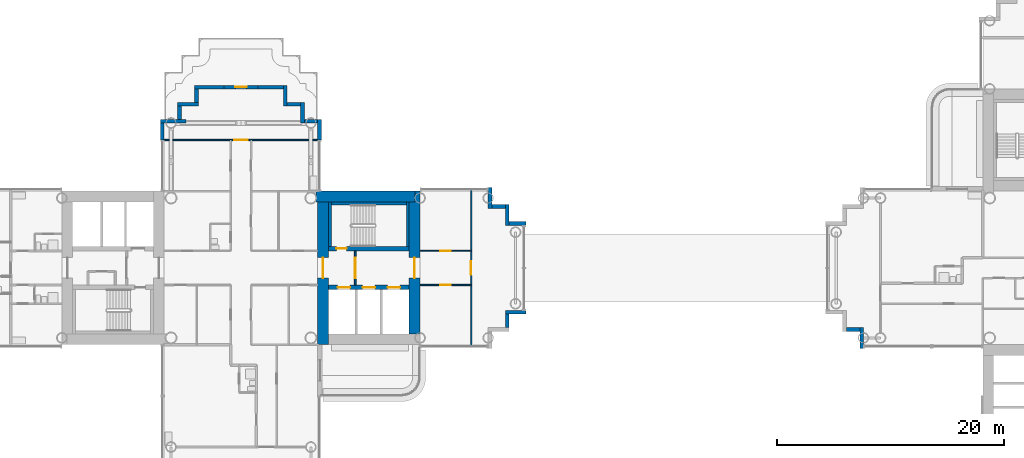
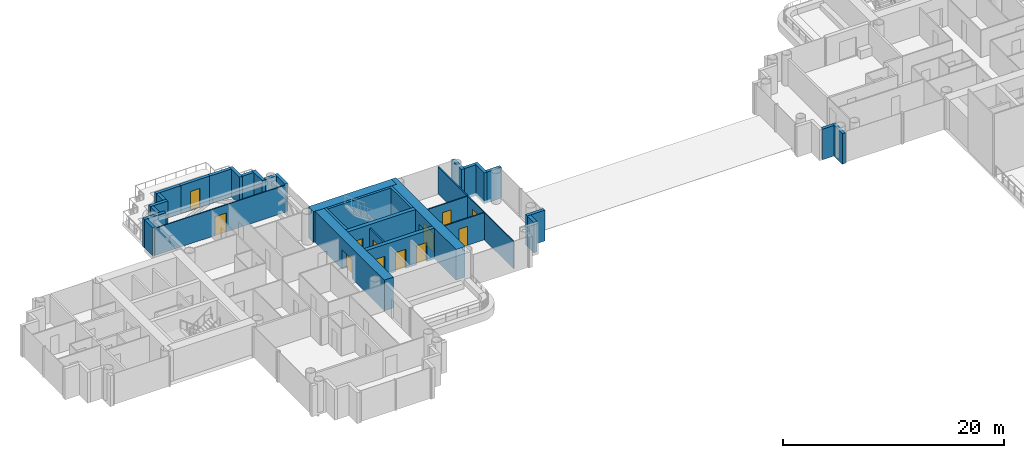
# One storey, part 12 of 22: 34 walls, 12 doors, 12 openings.
"""IFC4 building model written with IfcOpenShell, lengths in metres."""

from ifc_helpers import new_model, si_unit, direction, frame, frame_2d, origin, place, context, subcontext, project, spatial, rectangle, extrude, material, layer, layer_set, type_object, element, fill, save


model = new_model("IFC4")

# Units and contexts
model_context = context("Model", 3, precision=1e-05, world=origin(), true_north=direction((0.0, 1.0)))
body_context = subcontext(model_context, "Body", "Model", "MODEL_VIEW")
ifc_project = project(units=[si_unit("LENGTHUNIT", "METRE"), si_unit("AREAUNIT", "SQUARE_METRE"), si_unit("VOLUMEUNIT", "CUBIC_METRE"), si_unit("PLANEANGLEUNIT", "RADIAN"), si_unit("MASSUNIT", "GRAM", prefix="KILO")], contexts=[model_context])

# Site, building, storey
site_placement = place(None, origin())
site = spatial("IfcSite", under=ifc_project, at=site_placement, CompositionType="ELEMENT")
building_placement = place(site_placement, origin())
building = spatial("IfcBuilding", under=site, at=building_placement, Name="Ipe Terrace Towers", CompositionType="ELEMENT")
storey_placement = place(building_placement, frame((0.0, 0.0, 76.60009765625)))
storey = spatial("IfcBuildingStorey", under=building, at=storey_placement, Name="L20", CompositionType="ELEMENT", Elevation=76.60009765625)

# Walls
ifc_material_1 = material(Name="Concrete C40/50 with buff precast cladding", Category="concrete")
ifc_layer_1 = layer(ifc_material_1, 0.320068359375)
ifc_layer_set_1 = layer_set([ifc_layer_1], Name="BUFF CLADDING WALL 320")
wall_type_1 = type_object("IfcWallType", Name="BUFF CLADDING WALL 320", PredefinedType="STANDARD", material=ifc_layer_set_1)
wall_1_placement = place(storey_placement, frame((-12.590087890625, -5.25, -0.300048828125), z_axis=(0.0, 0.0, 1.0), x_axis=(0.0, 1.0, 0.0)))
element("IfcWall", 1, at=wall_1_placement, inside=storey, type_object=wall_type_1, Name="T1-W-L20-23a wall", PredefinedType="STANDARD", context=body_context, shape_type="SweptSolid", body=[
    extrude(rectangle(XDim=1.179931640625, YDim=0.320068359375, at=frame_2d((0.58984375, 0.0))), origin(), (0.0, 0.0, 1.0), 3.39990234375),
])
wall_2_placement = place(storey_placement, frame((-12.75, -3.909912109375, -0.300048828125), z_axis=(0.0, 0.0, 1.0), x_axis=(1.0, 0.0, 0.0)))
element("IfcWall", 2, at=wall_2_placement, inside=storey, type_object=wall_type_1, Name="T1-W-L20-24a wall", PredefinedType="STANDARD", context=body_context, shape_type="SweptSolid", body=[
    extrude(rectangle(XDim=1.820068359375, YDim=0.320068359375, at=frame_2d((0.91015625, 0.0))), origin(), (0.0, 0.0, 1.0), 3.39990234375),
])
wall_3_placement = place(storey_placement, frame((-10.929931640625, 3.909912109375, -0.300048828125), z_axis=(0.0, 0.0, 1.0), x_axis=(-1.0, 0.0, 0.0)))
element("IfcWall", 3, at=wall_3_placement, inside=storey, type_object=wall_type_1, Name="T1-W-L20-26a wall", PredefinedType="STANDARD", context=body_context, shape_type="SweptSolid", body=[
    extrude(rectangle(XDim=1.5, YDim=0.320068359375, at=frame_2d((0.75, 0.0))), origin(), (0.0, 0.0, 1.0), 3.39990234375),
])
wall_4_placement = place(storey_placement, frame((-12.590087890625, 3.75, -0.300048828125), z_axis=(0.0, 0.0, 1.0), x_axis=(0.0, 1.0, 0.0)))
element("IfcWall", 4, at=wall_4_placement, inside=storey, type_object=wall_type_1, Name="T1-W-L20-27a wall", PredefinedType="STANDARD", context=body_context, shape_type="SweptSolid", body=[
    extrude(rectangle(XDim=1.820068359375, YDim=0.320068359375, at=frame_2d((0.91015625, 0.0))), origin(), (0.0, 0.0, 1.0), 3.39990234375),
])
wall_5_placement = place(storey_placement, frame((-12.75, 5.409912109375, -0.300048828125), z_axis=(0.0, 0.0, 1.0), x_axis=(-1.0, 0.0, 0.0)))
element("IfcWall", 5, at=wall_5_placement, inside=storey, type_object=wall_type_1, Name="T1-W-L20-28a wall", PredefinedType="STANDARD", context=body_context, shape_type="SweptSolid", body=[
    extrude(rectangle(XDim=1.179931640625, YDim=0.320068359375, at=frame_2d((0.58984375, 0.0))), origin(), (0.0, 0.0, 1.0), 3.39990234375),
])
wall_6_placement = place(storey_placement, frame((-14.090087890625, 5.25, -0.300048828125), z_axis=(0.0, 0.0, 1.0), x_axis=(0.0, 1.0, 0.0)))
element("IfcWall", 6, at=wall_6_placement, inside=storey, type_object=wall_type_1, Name="T1-W-L20-29a wall", PredefinedType="STANDARD", context=body_context, shape_type="SweptSolid", body=[
    extrude(rectangle(XDim=1.820068359375, YDim=0.320068359375, at=frame_2d((0.91015625, 0.0))), origin(), (0.0, 0.0, 1.0), 3.39990234375),
])
wall_7_placement = place(storey_placement, frame((-29.090087890625, 11.25, 0.0), z_axis=(0.0, 0.0, 1.0), x_axis=(0.0, 1.0, 0.0)))
element("IfcWall", 7, at=wall_7_placement, inside=storey, type_object=wall_type_1, Name="T1-W-L20-33a wall", PredefinedType="STANDARD", context=body_context, shape_type="SweptSolid", body=[
    extrude(rectangle(XDim=1.820068359375, YDim=0.320068359375, at=frame_2d((0.91015625, 0.0))), origin(), (0.0, 0.0, 1.0), 3.099853515625),
])
wall_8_placement = place(storey_placement, frame((-29.25, 12.909912109375, -0.02001953125), z_axis=(0.0, 0.0, 1.0), x_axis=(-1.0, 0.0, 0.0)))
element("IfcWall", 8, at=wall_8_placement, inside=storey, type_object=wall_type_1, Name="T1-W-L20-34a wall", PredefinedType="STANDARD", context=body_context, shape_type="SweptSolid", body=[
    extrude(rectangle(XDim=1.179931640625, YDim=0.320068359375, at=frame_2d((0.58984375, 0.0))), origin(), (0.0, 0.0, 1.0), 3.119873046875),
])
wall_9_placement = place(storey_placement, frame((-30.590087890625, 12.75, -0.02001953125), z_axis=(0.0, 0.0, 1.0), x_axis=(0.0, 1.0, 0.0)))
element("IfcWall", 9, at=wall_9_placement, inside=storey, type_object=wall_type_1, Name="T1-W-L20-35a wall", PredefinedType="STANDARD", context=body_context, shape_type="SweptSolid", body=[
    extrude(rectangle(XDim=1.820068359375, YDim=0.320068359375, at=frame_2d((0.91015625, 0.0))), origin(), (0.0, 0.0, 1.0), 3.119873046875),
])
wall_10_placement = place(storey_placement, frame((-30.75, 14.409912109375, -0.02001953125), z_axis=(0.0, 0.0, 1.0), x_axis=(-1.0, 0.0, 0.0)))
element("IfcWall", 10, at=wall_10_placement, inside=storey, type_object=wall_type_1, Name="T1-W-L20-36a wall", PredefinedType="STANDARD", context=body_context, shape_type="SweptSolid", body=[
    extrude(rectangle(XDim=1.179931640625, YDim=0.320068359375, at=frame_2d((0.58984375, 0.0))), origin(), (0.0, 0.0, 1.0), 3.119873046875),
])
wall_11_placement = place(storey_placement, frame((-32.090087890625, 14.25, -0.02001953125), z_axis=(0.0, 0.0, 1.0), x_axis=(0.0, 1.0, 0.0)))
element("IfcWall", 11, at=wall_11_placement, inside=storey, type_object=wall_type_1, Name="T1-W-L20-37a wall", PredefinedType="STANDARD", context=body_context, shape_type="SweptSolid", body=[
    extrude(rectangle(XDim=1.820068359375, YDim=0.320068359375, at=frame_2d((0.91015625, 0.0))), origin(), (0.0, 0.0, 1.0), 3.119873046875),
])
wall_12_placement = place(storey_placement, frame((-32.25, 15.909912109375, -0.02001953125), z_axis=(0.0, 0.0, 1.0), x_axis=(-1.0, 0.0, 0.0)))
element("IfcWall", 12, at=wall_12_placement, inside=storey, type_object=wall_type_1, Name="T1-W-L20-38a wall", PredefinedType="STANDARD", context=body_context, shape_type="SweptSolid", body=[
    extrude(rectangle(XDim=2.25, YDim=0.320068359375, at=frame_2d((1.125, 0.0))), origin(), (0.0, 0.0, 1.0), 3.119873046875),
])

# Wall, opening, door
wall_13_placement = place(storey_placement, frame((-34.5, 15.909912109375, -0.02001953125), z_axis=(0.0, 0.0, 1.0), x_axis=(-1.0, 0.0, 0.0)))
wall_13 = element("IfcWall", 13, at=wall_13_placement, inside=storey, type_object=wall_type_1, Name="T1-W-L20-38b wall", PredefinedType="STANDARD", context=body_context, shape_type="SweptSolid", body=[
    extrude(rectangle(XDim=3.0, YDim=0.320068359375, at=frame_2d((1.5, 0.0))), origin(), (0.0, 0.0, 1.0), 3.119873046875),
])
opening_1_placement = place(wall_13_placement, frame((1.0, 0.0, 0.02001953125)))
opening_1 = element("IfcOpeningElement", 14, at=opening_1_placement, cuts=wall_13, Name="Opening T1-D-L20-38", PredefinedType="OPENING", context=body_context, shape_type="SweptSolid", body=[
    extrude(rectangle(XDim=1.0, YDim=2.10009765625, at=frame_2d((0.5, 1.050048828125))), frame((0.0, 0.169921875, 0.0), z_axis=(0.0, -1.0, 0.0), x_axis=(1.0, 0.0, 0.0)), (0.0, 0.0, 1.0), 0.340087890625),
])
ifc_material_2 = material(Name="Aluminium alloy 6063-T6 framed glazed door", Category="aluminium")
door_type_1 = type_object("IfcDoorType", Name="TERRACE DOOR 1000 x 2100", OperationType="SINGLE_SWING_LEFT", PredefinedType="DOOR", material=ifc_material_2)
door_1_placement = place(opening_1_placement, origin())
door_1 = element("IfcDoor", 15, at=door_1_placement, inside=storey, type_object=door_type_1, Name="DT1 door", OperationType="SINGLE_SWING_LEFT", OverallHeight=2.10009765625, OverallWidth=1.0, PredefinedType="DOOR", context=body_context, shape_type="SweptSolid", body=[
    extrude(rectangle(XDim=1.0, YDim=2.10009765625, at=frame_2d((0.5, 1.050048828125))), frame((0.0, 0.02490234375, 0.0), z_axis=(0.0, -1.0, 0.0), x_axis=(1.0, 0.0, 0.0)), (0.0, 0.0, 1.0), 0.050048828125),
])
fill(opening_1, door_1)

# Walls
wall_14_placement = place(storey_placement, frame((-37.5, 15.909912109375, -0.02001953125), z_axis=(0.0, 0.0, 1.0), x_axis=(-1.0, 0.0, 0.0)))
element("IfcWall", 16, at=wall_14_placement, inside=storey, type_object=wall_type_1, Name="T1-W-L20-38c wall", PredefinedType="STANDARD", context=body_context, shape_type="SweptSolid", body=[
    extrude(rectangle(XDim=2.570068359375, YDim=0.320068359375, at=frame_2d((1.28515625, 0.0))), origin(), (0.0, 0.0, 1.0), 3.119873046875),
])
wall_15_placement = place(storey_placement, frame((-39.909912109375, 15.75, -0.02001953125), z_axis=(0.0, 0.0, 1.0), x_axis=(0.0, -1.0, 0.0)))
element("IfcWall", 17, at=wall_15_placement, inside=storey, type_object=wall_type_1, Name="T1-W-L20-39a wall", PredefinedType="STANDARD", context=body_context, shape_type="SweptSolid", body=[
    extrude(rectangle(XDim=1.179931640625, YDim=0.320068359375, at=frame_2d((0.58984375, 0.0))), origin(), (0.0, 0.0, 1.0), 3.119873046875),
])
wall_16_placement = place(storey_placement, frame((-39.75, 14.409912109375, -0.02001953125), z_axis=(0.0, 0.0, 1.0), x_axis=(-1.0, 0.0, 0.0)))
element("IfcWall", 18, at=wall_16_placement, inside=storey, type_object=wall_type_1, Name="T1-W-L20-40a wall", PredefinedType="STANDARD", context=body_context, shape_type="SweptSolid", body=[
    extrude(rectangle(XDim=1.820068359375, YDim=0.320068359375, at=frame_2d((0.91015625, 0.0))), origin(), (0.0, 0.0, 1.0), 3.119873046875),
])
wall_17_placement = place(storey_placement, frame((-41.409912109375, 14.25, -0.02001953125), z_axis=(0.0, 0.0, 1.0), x_axis=(0.0, -1.0, 0.0)))
element("IfcWall", 19, at=wall_17_placement, inside=storey, type_object=wall_type_1, Name="T1-W-L20-41a wall", PredefinedType="STANDARD", context=body_context, shape_type="SweptSolid", body=[
    extrude(rectangle(XDim=1.179931640625, YDim=0.320068359375, at=frame_2d((0.58984375, 0.0))), origin(), (0.0, 0.0, 1.0), 3.119873046875),
])
wall_18_placement = place(storey_placement, frame((-40.820068359375, 12.909912109375, -0.02001953125), z_axis=(0.0, 0.0, 1.0), x_axis=(-1.0, 0.0, 0.0)))
element("IfcWall", 20, at=wall_18_placement, inside=storey, type_object=wall_type_1, Name="T1-W-L20-42a wall", PredefinedType="STANDARD", context=body_context, shape_type="SweptSolid", body=[
    extrude(rectangle(XDim=2.25, YDim=0.320068359375, at=frame_2d((1.125, 0.0))), origin(), (0.0, 0.0, 1.0), 3.119873046875),
])
wall_19_placement = place(storey_placement, frame((-42.909912109375, 12.75, 0.0), z_axis=(0.0, 0.0, 1.0), x_axis=(0.0, -1.0, 0.0)))
element("IfcWall", 21, at=wall_19_placement, inside=storey, type_object=wall_type_1, Name="T1-W-L20-43a wall", PredefinedType="STANDARD", context=body_context, shape_type="SweptSolid", body=[
    extrude(rectangle(XDim=1.5, YDim=0.320068359375, at=frame_2d((0.75, 0.0))), origin(), (0.0, 0.0, 1.0), 3.099853515625),
])
wall_20_placement = place(storey_placement, frame((17.25, -5.409912109375, -0.300048828125), z_axis=(0.0, 0.0, 1.0), x_axis=(1.0, 0.0, 0.0)))
element("IfcWall", 22, at=wall_20_placement, inside=storey, type_object=wall_type_1, Name="T2-W-L20-37a wall", PredefinedType="STANDARD", context=body_context, shape_type="SweptSolid", body=[
    extrude(rectangle(XDim=1.179931640625, YDim=0.320068359375, at=frame_2d((0.58984375, 0.0))), origin(), (0.0, 0.0, 1.0), 3.39990234375),
])
wall_21_placement = place(storey_placement, frame((18.590087890625, -5.25, -0.300048828125), z_axis=(0.0, 0.0, 1.0), x_axis=(0.0, -1.0, 0.0)))
element("IfcWall", 23, at=wall_21_placement, inside=storey, type_object=wall_type_1, Name="T2-W-L20-38a wall", PredefinedType="STANDARD", context=body_context, shape_type="SweptSolid", body=[
    extrude(rectangle(XDim=1.820068359375, YDim=0.320068359375, at=frame_2d((0.91015625, 0.0))), origin(), (0.0, 0.0, 1.0), 3.39990234375),
])

# Wall, opening, door
ifc_material_3 = material(Name="Gypsum board partition", Category="plasterboard")
ifc_layer_2 = layer(ifc_material_3, 0.10009765625)
ifc_layer_set_2 = layer_set([ifc_layer_2], Name="Gypsum board partition 100 mm")
wall_type_2 = type_object("IfcWallType", Name="Gypsum board partition 100 mm", PredefinedType="PARTITIONING", material=ifc_layer_set_2)
wall_22_placement = place(storey_placement, frame((-15.75, -6.85009765625, 0.0), z_axis=(0.0, 0.0, 1.0), x_axis=(0.0, 1.0, 0.0)))
wall_22 = element("IfcWall", 24, at=wall_22_placement, inside=storey, type_object=wall_type_2, Name="Gypsum board partition T1 L20 W17", PredefinedType="PARTITIONING", context=body_context, shape_type="SweptSolid", body=[
    extrude(rectangle(XDim=13.7001953125, YDim=0.10009765625, at=frame_2d((6.85009765625, 0.0))), origin(), (0.0, 0.0, 1.0), 3.0),
])
opening_2_placement = place(wall_22_placement, frame((6.25, 0.0, 0.0)))
opening_2 = element("IfcOpeningElement", 25, at=opening_2_placement, cuts=wall_22, Name="Opening T1-Z2B-18", PredefinedType="OPENING", context=body_context, shape_type="SweptSolid", body=[
    extrude(rectangle(XDim=1.199951171875, YDim=2.10009765625, at=frame_2d((0.60009765625, 1.050048828125))), frame((0.0, 0.06005859375, 0.0), z_axis=(0.0, -1.0, 0.0), x_axis=(1.0, 0.0, 0.0)), (0.0, 0.0, 1.0), 0.1201171875),
])
ifc_material_4 = material(Name="Timber door leaf", Category="wood")
door_type_2 = type_object("IfcDoorType", Name="Lounge door 1200 x 2100", OperationType="NOTDEFINED", PredefinedType="DOOR", material=ifc_material_4)
door_2_placement = place(opening_2_placement, origin())
door_2 = element("IfcDoor", 26, at=door_2_placement, inside=storey, type_object=door_type_2, Name="Lounge door T1-Z2B-18", OperationType="SINGLE_SWING_RIGHT", OverallHeight=2.10009765625, OverallWidth=1.199951171875, PredefinedType="DOOR", context=body_context, shape_type="SweptSolid", body=[
    extrude(rectangle(XDim=1.199951171875, YDim=2.10009765625, at=frame_2d((0.60009765625, 1.050048828125))), frame((0.0, 0.02490234375, 0.0), z_axis=(0.0, -1.0, 0.0), x_axis=(1.0, 0.0, 0.0)), (0.0, 0.0, 1.0), 0.050048828125),
])
fill(opening_2, door_2)

wall_23_placement = place(storey_placement, frame((-20.25, -1.5, 0.0), z_axis=(0.0, 0.0, 1.0), x_axis=(1.0, 0.0, 0.0)))
wall_23 = element("IfcWall", 27, at=wall_23_placement, inside=storey, type_object=wall_type_2, Name="Gypsum board partition T1 L20 W28", PredefinedType="PARTITIONING", context=body_context, shape_type="SweptSolid", body=[
    extrude(rectangle(XDim=4.5, YDim=0.10009765625, at=frame_2d((2.25, 0.0))), origin(), (0.0, 0.0, 1.0), 3.0),
])
opening_3_placement = place(wall_23_placement, frame((1.800048828125, 0.0, 0.0)))
opening_3 = element("IfcOpeningElement", 28, at=opening_3_placement, cuts=wall_23, Name="Opening T1-Z2B-17", PredefinedType="OPENING", context=body_context, shape_type="SweptSolid", body=[
    extrude(rectangle(XDim=0.89990234375, YDim=2.10009765625, at=frame_2d((0.449951171875, 1.050048828125))), frame((0.0, 0.06005859375, 0.0), z_axis=(0.0, -1.0, 0.0), x_axis=(1.0, 0.0, 0.0)), (0.0, 0.0, 1.0), 0.1201171875),
])
ifc_material_5 = material(Name="Timber door leaf", Category="wood")
door_type_3 = type_object("IfcDoorType", Name="Lounge door 900 x 2100", OperationType="NOTDEFINED", PredefinedType="DOOR", material=ifc_material_5)
door_3_placement = place(opening_3_placement, origin())
door_3 = element("IfcDoor", 29, at=door_3_placement, inside=storey, type_object=door_type_3, Name="Lounge door T1-Z2B-17", OperationType="SINGLE_SWING_RIGHT", OverallHeight=2.10009765625, OverallWidth=0.89990234375, PredefinedType="DOOR", context=body_context, shape_type="SweptSolid", body=[
    extrude(rectangle(XDim=0.89990234375, YDim=2.10009765625, at=frame_2d((0.449951171875, 1.050048828125))), frame((0.0, 0.02490234375, 0.0), z_axis=(0.0, -1.0, 0.0), x_axis=(1.0, 0.0, 0.0)), (0.0, 0.0, 1.0), 0.050048828125),
])
fill(opening_3, door_3)

wall_24_placement = place(storey_placement, frame((-20.25, 1.5, 0.0), z_axis=(0.0, 0.0, 1.0), x_axis=(1.0, 0.0, 0.0)))
wall_24 = element("IfcWall", 30, at=wall_24_placement, inside=storey, type_object=wall_type_2, Name="Gypsum board partition T1 L20 W33", PredefinedType="PARTITIONING", context=body_context, shape_type="SweptSolid", body=[
    extrude(rectangle(XDim=4.5, YDim=0.10009765625, at=frame_2d((2.25, 0.0))), origin(), (0.0, 0.0, 1.0), 3.0),
])
opening_4_placement = place(wall_24_placement, frame((1.800048828125, 0.0, 0.0)))
opening_4 = element("IfcOpeningElement", 31, at=opening_4_placement, cuts=wall_24, Name="Opening T1-Z2B-16", PredefinedType="OPENING", context=body_context, shape_type="SweptSolid", body=[
    extrude(rectangle(XDim=0.89990234375, YDim=2.10009765625, at=frame_2d((0.449951171875, 1.050048828125))), frame((0.0, 0.06005859375, 0.0), z_axis=(0.0, -1.0, 0.0), x_axis=(1.0, 0.0, 0.0)), (0.0, 0.0, 1.0), 0.1201171875),
])
door_4_placement = place(opening_4_placement, origin())
door_4 = element("IfcDoor", 32, at=door_4_placement, inside=storey, type_object=door_type_3, Name="Lounge door T1-Z2B-16", OperationType="SINGLE_SWING_LEFT", OverallHeight=2.10009765625, OverallWidth=0.89990234375, PredefinedType="DOOR", context=body_context, shape_type="SweptSolid", body=[
    extrude(rectangle(XDim=0.89990234375, YDim=2.10009765625, at=frame_2d((0.449951171875, 1.050048828125))), frame((0.0, 0.02490234375, 0.0), z_axis=(0.0, -1.0, 0.0), x_axis=(1.0, 0.0, 0.0)), (0.0, 0.0, 1.0), 0.050048828125),
])
fill(opening_4, door_4)

wall_25_placement = place(storey_placement, frame((-42.85009765625, 11.25, 0.0), z_axis=(0.0, 0.0, 1.0), x_axis=(1.0, 0.0, 0.0)))
wall_25 = element("IfcWall", 33, at=wall_25_placement, inside=storey, type_object=wall_type_2, Name="Gypsum board partition T1 L20 W40", PredefinedType="PARTITIONING", context=body_context, shape_type="SweptSolid", body=[
    extrude(rectangle(XDim=13.7001953125, YDim=0.10009765625, at=frame_2d((6.85009765625, 0.0))), origin(), (0.0, 0.0, 1.0), 3.0),
])
opening_5_placement = place(wall_25_placement, frame((6.25, 0.0, 0.0)))
opening_5 = element("IfcOpeningElement", 34, at=opening_5_placement, cuts=wall_25, Name="Opening T1-Z2B-11", PredefinedType="OPENING", context=body_context, shape_type="SweptSolid", body=[
    extrude(rectangle(XDim=1.199951171875, YDim=2.10009765625, at=frame_2d((0.60009765625, 1.050048828125))), frame((0.0, 0.06005859375, 0.0), z_axis=(0.0, -1.0, 0.0), x_axis=(1.0, 0.0, 0.0)), (0.0, 0.0, 1.0), 0.1201171875),
])
door_5_placement = place(opening_5_placement, origin())
door_5 = element("IfcDoor", 35, at=door_5_placement, inside=storey, type_object=door_type_2, Name="Lounge door T1-Z2B-11", OperationType="SINGLE_SWING_LEFT", OverallHeight=2.10009765625, OverallWidth=1.199951171875, PredefinedType="DOOR", context=body_context, shape_type="SweptSolid", body=[
    extrude(rectangle(XDim=1.199951171875, YDim=2.10009765625, at=frame_2d((0.60009765625, 1.050048828125))), frame((0.0, 0.02490234375, 0.0), z_axis=(0.0, -1.0, 0.0), x_axis=(1.0, 0.0, 0.0)), (0.0, 0.0, 1.0), 0.050048828125),
])
fill(opening_5, door_5)

ifc_material_6 = material(Name="Gypsum board partition", Category="plasterboard")
ifc_layer_3 = layer(ifc_material_6, 0.14990234375)
ifc_layer_set_3 = layer_set([ifc_layer_3], Name="Gypsum board partition 150 mm")
wall_type_3 = type_object("IfcWallType", Name="Gypsum board partition 150 mm", PredefinedType="PARTITIONING", material=ifc_layer_set_3)
wall_26_placement = place(storey_placement, frame((-25.949951171875, -1.5, 0.0), z_axis=(0.0, 0.0, 1.0), x_axis=(0.0, 1.0, 0.0)))
wall_26 = element("IfcWall", 36, at=wall_26_placement, inside=storey, type_object=wall_type_3, Name="Gypsum board partition T1 L20 t1c1-lobby-wall", PredefinedType="PARTITIONING", context=body_context, shape_type="SweptSolid", body=[
    extrude(rectangle(XDim=3.0, YDim=0.14990234375, at=frame_2d((1.5, 0.0))), origin(), (0.0, 0.0, 1.0), 3.0),
])
opening_6_placement = place(wall_26_placement, frame((0.60009765625, 0.0, 0.0)))
opening_6 = element("IfcOpeningElement", 37, at=opening_6_placement, cuts=wall_26, Name="Opening T1C1-VD", PredefinedType="OPENING", context=body_context, shape_type="SweptSolid", body=[
    extrude(rectangle(XDim=1.800048828125, YDim=2.10009765625, at=frame_2d((0.89990234375, 1.050048828125))), frame((0.0, 0.0849609375, 0.0), z_axis=(0.0, -1.0, 0.0), x_axis=(1.0, 0.0, 0.0)), (0.0, 0.0, 1.0), 0.169921875),
])
ifc_material_7 = material(Name="Fire-rated timber door leaf", Category="wood")
door_type_4 = type_object("IfcDoorType", Name="Lobby door 1800 x 2100 FD60", OperationType="NOTDEFINED", PredefinedType="DOOR", material=ifc_material_7)
door_6_placement = place(opening_6_placement, origin())
door_6 = element("IfcDoor", 38, at=door_6_placement, inside=storey, type_object=door_type_4, Name="Lobby door T1C1-VD", OperationType="SINGLE_SWING_LEFT", OverallHeight=2.10009765625, OverallWidth=1.800048828125, PredefinedType="DOOR", context=body_context, shape_type="SweptSolid", body=[
    extrude(rectangle(XDim=1.800048828125, YDim=2.10009765625, at=frame_2d((0.89990234375, 1.050048828125))), frame((0.0, 0.02490234375, 0.0), z_axis=(0.0, -1.0, 0.0), x_axis=(1.0, 0.0, 0.0)), (0.0, 0.0, 1.0), 0.050048828125),
])
fill(opening_6, door_6)

# Walls
ifc_material_8 = material(Name="Concrete C50/60", Category="concrete")
ifc_layer_4 = layer(ifc_material_8, 0.25)
ifc_layer_set_4 = layer_set([ifc_layer_4], Name="RW250 CORE INFILL WALL 250 C50-60")
wall_type_4 = type_object("IfcWallType", Name="RW250 CORE INFILL WALL 250 C50-60", PredefinedType="SHEAR", material=ifc_layer_set_4)
wall_27_placement = place(storey_placement, frame((-21.324951171875, 1.89990234375, 0.0), z_axis=(0.0, 0.0, 1.0), x_axis=(0.0, 1.0, 0.0)))
element("IfcWall", 39, at=wall_27_placement, inside=storey, type_object=wall_type_4, Name="Core infill wall T1-C1-far", PredefinedType="SHEAR", context=body_context, shape_type="SweptSolid", body=[
    extrude(rectangle(XDim=3.900146484375, YDim=0.25, at=frame_2d((1.9501953125, 0.0))), origin(), (0.0, 0.0, 1.0), 3.39990234375),
])
wall_28_placement = place(storey_placement, frame((-28.050048828125, 5.675048828125, 0.0), z_axis=(0.0, 0.0, 1.0), x_axis=(1.0, 0.0, 0.0)))
element("IfcWall", 40, at=wall_28_placement, inside=storey, type_object=wall_type_4, Name="Core infill wall T1-C1-back", PredefinedType="SHEAR", context=body_context, shape_type="SweptSolid", body=[
    extrude(rectangle(XDim=6.60009765625, YDim=0.25, at=frame_2d((3.300048828125, 0.0))), origin(), (0.0, 0.0, 1.0), 3.39990234375),
])
wall_29_placement = place(storey_placement, frame((-28.175048828125, 1.89990234375, 0.0), z_axis=(0.0, 0.0, 1.0), x_axis=(0.0, 1.0, 0.0)))
element("IfcWall", 41, at=wall_29_placement, inside=storey, type_object=wall_type_4, Name="Core infill wall T1-C1-near", PredefinedType="SHEAR", context=body_context, shape_type="SweptSolid", body=[
    extrude(rectangle(XDim=3.900146484375, YDim=0.25, at=frame_2d((1.9501953125, 0.0))), origin(), (0.0, 0.0, 1.0), 3.39990234375),
])

# Wall, openings, doors
ifc_material_9 = material(Name="Concrete C50/60", Category="concrete")
ifc_layer_5 = layer(ifc_material_9, 0.39990234375)
ifc_layer_set_5 = layer_set([ifc_layer_5], Name="RW400 CORE SPINE WALL 400 C50-60")
wall_type_5 = type_object("IfcWallType", Name="RW400 CORE SPINE WALL 400 C50-60", PredefinedType="SHEAR", material=ifc_layer_set_5)
wall_30_placement = place(storey_placement, frame((-28.300048828125, -1.699951171875, 0.0), z_axis=(0.0, 0.0, 1.0), x_axis=(1.0, 0.0, 0.0)))
wall_30 = element("IfcWall", 42, at=wall_30_placement, inside=storey, type_object=wall_type_5, Name="Core spine wall T1-C1-Z2-SW1", PredefinedType="SHEAR", context=body_context, shape_type="SweptSolid", body=[
    extrude(rectangle(XDim=7.10009765625, YDim=0.39990234375, at=frame_2d((3.550048828125, 0.0))), origin(), (0.0, 0.0, 1.0), 3.39990234375),
])
opening_7_placement = place(wall_30_placement, frame((0.800048828125, 0.0, 0.0)))
opening_7 = element("IfcOpeningElement", 43, at=opening_7_placement, cuts=wall_30, Name="Opening T1C1-LD1", PredefinedType="OPENING", context=body_context, shape_type="SweptSolid", body=[
    extrude(rectangle(XDim=1.10009765625, YDim=2.10009765625, at=frame_2d((0.550048828125, 1.050048828125))), frame((0.0, 0.2099609375, 0.0), z_axis=(0.0, -1.0, 0.0), x_axis=(1.0, 0.0, 0.0)), (0.0, 0.0, 1.0), 0.419921875),
])
opening_8_placement = place(wall_30_placement, frame((3.0, 0.0, 0.0)))
opening_8 = element("IfcOpeningElement", 44, at=opening_8_placement, cuts=wall_30, Name="Opening T1C1-LD2", PredefinedType="OPENING", context=body_context, shape_type="SweptSolid", body=[
    extrude(rectangle(XDim=1.10009765625, YDim=2.10009765625, at=frame_2d((0.550048828125, 1.050048828125))), frame((0.0, 0.2099609375, 0.0), z_axis=(0.0, -1.0, 0.0), x_axis=(1.0, 0.0, 0.0)), (0.0, 0.0, 1.0), 0.419921875),
])
opening_9_placement = place(wall_30_placement, frame((5.199951171875, 0.0, 0.0)))
opening_9 = element("IfcOpeningElement", 45, at=opening_9_placement, cuts=wall_30, Name="Opening T1C1-LD3", PredefinedType="OPENING", context=body_context, shape_type="SweptSolid", body=[
    extrude(rectangle(XDim=1.10009765625, YDim=2.10009765625, at=frame_2d((0.550048828125, 1.050048828125))), frame((0.0, 0.2099609375, 0.0), z_axis=(0.0, -1.0, 0.0), x_axis=(1.0, 0.0, 0.0)), (0.0, 0.0, 1.0), 0.419921875),
])
ifc_material_10 = material(Name="Fire-rated timber door leaf", Category="wood")
door_type_5 = type_object("IfcDoorType", Name="Sliding door 1100 x 2100 FD60", OperationType="SLIDING_TO_LEFT", PredefinedType="DOOR", material=ifc_material_10)
door_7_placement = place(opening_7_placement, origin())
door_7 = element("IfcDoor", 46, at=door_7_placement, inside=storey, type_object=door_type_5, Name="Sliding door T1C1-LD1", OperationType="SLIDING_TO_LEFT", OverallHeight=2.10009765625, OverallWidth=1.10009765625, PredefinedType="DOOR", context=body_context, shape_type="SweptSolid", body=[
    extrude(rectangle(XDim=1.10009765625, YDim=2.10009765625, at=frame_2d((0.550048828125, 1.050048828125))), frame((0.0, 0.02490234375, 0.0), z_axis=(0.0, -1.0, 0.0), x_axis=(1.0, 0.0, 0.0)), (0.0, 0.0, 1.0), 0.050048828125),
])
fill(opening_7, door_7)
door_8_placement = place(opening_8_placement, origin())
door_8 = element("IfcDoor", 47, at=door_8_placement, inside=storey, type_object=door_type_5, Name="Sliding door T1C1-LD2", OperationType="SLIDING_TO_LEFT", OverallHeight=2.10009765625, OverallWidth=1.10009765625, PredefinedType="DOOR", context=body_context, shape_type="SweptSolid", body=[
    extrude(rectangle(XDim=1.10009765625, YDim=2.10009765625, at=frame_2d((0.550048828125, 1.050048828125))), frame((0.0, 0.02490234375, 0.0), z_axis=(0.0, -1.0, 0.0), x_axis=(1.0, 0.0, 0.0)), (0.0, 0.0, 1.0), 0.050048828125),
])
fill(opening_8, door_8)
door_9_placement = place(opening_9_placement, origin())
door_9 = element("IfcDoor", 48, at=door_9_placement, inside=storey, type_object=door_type_5, Name="Sliding door T1C1-LD3", OperationType="SLIDING_TO_LEFT", OverallHeight=2.10009765625, OverallWidth=1.10009765625, PredefinedType="DOOR", context=body_context, shape_type="SweptSolid", body=[
    extrude(rectangle(XDim=1.10009765625, YDim=2.10009765625, at=frame_2d((0.550048828125, 1.050048828125))), frame((0.0, 0.02490234375, 0.0), z_axis=(0.0, -1.0, 0.0), x_axis=(1.0, 0.0, 0.0)), (0.0, 0.0, 1.0), 0.050048828125),
])
fill(opening_9, door_9)

# Wall, opening, door
wall_31_placement = place(storey_placement, frame((-28.300048828125, 1.699951171875, 0.0), z_axis=(0.0, 0.0, 1.0), x_axis=(1.0, 0.0, 0.0)))
wall_31 = element("IfcWall", 49, at=wall_31_placement, inside=storey, type_object=wall_type_5, Name="Core spine wall T1-C1-Z2-SW2", PredefinedType="SHEAR", context=body_context, shape_type="SweptSolid", body=[
    extrude(rectangle(XDim=7.10009765625, YDim=0.39990234375, at=frame_2d((3.550048828125, 0.0))), origin(), (0.0, 0.0, 1.0), 3.39990234375),
])
opening_10_placement = place(wall_31_placement, frame((0.699951171875, 0.0, 0.0)))
opening_10 = element("IfcOpeningElement", 50, at=opening_10_placement, cuts=wall_31, Name="Opening T1C1-SD", PredefinedType="OPENING", context=body_context, shape_type="SweptSolid", body=[
    extrude(rectangle(XDim=0.89990234375, YDim=2.10009765625, at=frame_2d((0.449951171875, 1.050048828125))), frame((0.0, 0.2099609375, 0.0), z_axis=(0.0, -1.0, 0.0), x_axis=(1.0, 0.0, 0.0)), (0.0, 0.0, 1.0), 0.419921875),
])
ifc_material_11 = material(Name="Fire-rated timber door leaf", Category="wood")
door_type_6 = type_object("IfcDoorType", Name="Stair door 900 x 2100 FD60", OperationType="NOTDEFINED", PredefinedType="DOOR", material=ifc_material_11)
door_10_placement = place(opening_10_placement, origin())
door_10 = element("IfcDoor", 51, at=door_10_placement, inside=storey, type_object=door_type_6, Name="Stair door T1C1-SD", OperationType="SINGLE_SWING_LEFT", OverallHeight=2.10009765625, OverallWidth=0.89990234375, PredefinedType="DOOR", context=body_context, shape_type="SweptSolid", body=[
    extrude(rectangle(XDim=0.89990234375, YDim=2.10009765625, at=frame_2d((0.449951171875, 1.050048828125))), frame((0.0, 0.02490234375, 0.0), z_axis=(0.0, -1.0, 0.0), x_axis=(1.0, 0.0, 0.0)), (0.0, 0.0, 1.0), 0.050048828125),
])
fill(opening_10, door_10)

ifc_material_12 = material(Name="Concrete C50/60", Category="concrete")
ifc_layer_6 = layer(ifc_material_12, 0.949951171875)
ifc_layer_set_6 = layer_set([ifc_layer_6], Name="RW950 CORE WALL 950 C50-60")
wall_type_6 = type_object("IfcWallType", Name="RW950 CORE WALL 950 C50-60", PredefinedType="SHEAR", material=ifc_layer_set_6)
wall_32_placement = place(storey_placement, frame((-20.72509765625, -5.800048828125, 0.0), z_axis=(0.0, 0.0, 1.0), x_axis=(0.0, 1.0, 0.0)))
wall_32 = element("IfcWall", 52, at=wall_32_placement, inside=storey, type_object=wall_type_6, Name="Core wall T1-C1-Z2-W02", PredefinedType="SHEAR", context=body_context, shape_type="SweptSolid", body=[
    extrude(rectangle(XDim=12.550048828125, YDim=0.949951171875, at=frame_2d((6.27490234375, 0.0))), origin(), (0.0, 0.0, 1.0), 3.39990234375),
])
opening_11_placement = place(wall_32_placement, frame((4.89990234375, 0.0, 0.0)))
opening_11 = element("IfcOpeningElement", 53, at=opening_11_placement, cuts=wall_32, Name="Opening T1C1-FD", PredefinedType="OPENING", context=body_context, shape_type="SweptSolid", body=[
    extrude(rectangle(XDim=1.800048828125, YDim=2.10009765625, at=frame_2d((0.89990234375, 1.050048828125))), frame((0.0, 0.48486328125, 0.0), z_axis=(0.0, -1.0, 0.0), x_axis=(1.0, 0.0, 0.0)), (0.0, 0.0, 1.0), 0.969970703125),
])
ifc_material_13 = material(Name="Fire-rated timber door leaf", Category="wood")
door_type_7 = type_object("IfcDoorType", Name="Fire door 1800 x 2100 FD30S", OperationType="NOTDEFINED", PredefinedType="DOOR", material=ifc_material_13)
door_11_placement = place(opening_11_placement, origin())
door_11 = element("IfcDoor", 54, at=door_11_placement, inside=storey, type_object=door_type_7, Name="Fire door T1C1-FD", OperationType="SINGLE_SWING_LEFT", OverallHeight=2.10009765625, OverallWidth=1.800048828125, PredefinedType="DOOR", context=body_context, shape_type="SweptSolid", body=[
    extrude(rectangle(XDim=1.800048828125, YDim=2.10009765625, at=frame_2d((0.89990234375, 1.050048828125))), frame((0.0, 0.02490234375, 0.0), z_axis=(0.0, -1.0, 0.0), x_axis=(1.0, 0.0, 0.0)), (0.0, 0.0, 1.0), 0.050048828125),
])
fill(opening_11, door_11)

# Wall
wall_33_placement = place(storey_placement, frame((-20.701904296875, 6.27490234375, 0.0), z_axis=(0.0, 0.0, 1.0), x_axis=(-1.0, 0.0, 0.0)))
element("IfcWall", 55, at=wall_33_placement, inside=storey, type_object=wall_type_6, Name="Core wall T1-C1-Z2-W03", PredefinedType="SHEAR", context=body_context, shape_type="SweptSolid", body=[
    extrude(rectangle(XDim=8.696044921875, YDim=0.949951171875, at=frame_2d((4.34814453125, 0.0))), origin(), (0.0, 0.0, 1.0), 3.39990234375),
])

# Wall, opening, door
wall_34_placement = place(storey_placement, frame((-28.77490234375, 5.800048828125, 0.0), z_axis=(0.0, 0.0, 1.0), x_axis=(0.0, -1.0, 0.0)))
wall_34 = element("IfcWall", 56, at=wall_34_placement, inside=storey, type_object=wall_type_6, Name="Core wall T1-C1-Z2-W04", PredefinedType="SHEAR", context=body_context, shape_type="SweptSolid", body=[
    extrude(rectangle(XDim=12.550048828125, YDim=0.949951171875, at=frame_2d((6.27490234375, 0.0))), origin(), (0.0, 0.0, 1.0), 3.39990234375),
])
opening_12_placement = place(wall_34_placement, frame((4.89990234375, 0.0, 0.0)))
opening_12 = element("IfcOpeningElement", 57, at=opening_12_placement, cuts=wall_34, Name="Opening T1C1-ND", PredefinedType="OPENING", context=body_context, shape_type="SweptSolid", body=[
    extrude(rectangle(XDim=1.800048828125, YDim=2.10009765625, at=frame_2d((0.89990234375, 1.050048828125))), frame((0.0, 0.48486328125, 0.0), z_axis=(0.0, -1.0, 0.0), x_axis=(1.0, 0.0, 0.0)), (0.0, 0.0, 1.0), 0.969970703125),
])
door_12_placement = place(opening_12_placement, origin())
door_12 = element("IfcDoor", 58, at=door_12_placement, inside=storey, type_object=door_type_7, Name="Fire door T1C1-ND", OperationType="SINGLE_SWING_LEFT", OverallHeight=2.10009765625, OverallWidth=1.800048828125, PredefinedType="DOOR", context=body_context, shape_type="SweptSolid", body=[
    extrude(rectangle(XDim=1.800048828125, YDim=2.10009765625, at=frame_2d((0.89990234375, 1.050048828125))), frame((0.0, 0.02490234375, 0.0), z_axis=(0.0, -1.0, 0.0), x_axis=(1.0, 0.0, 0.0)), (0.0, 0.0, 1.0), 0.050048828125),
])
fill(opening_12, door_12)

save(model, "model.ifc")
